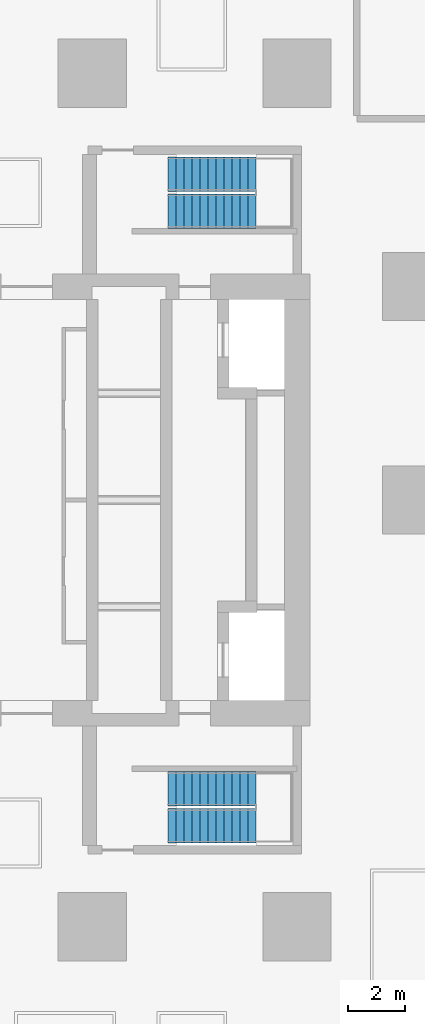
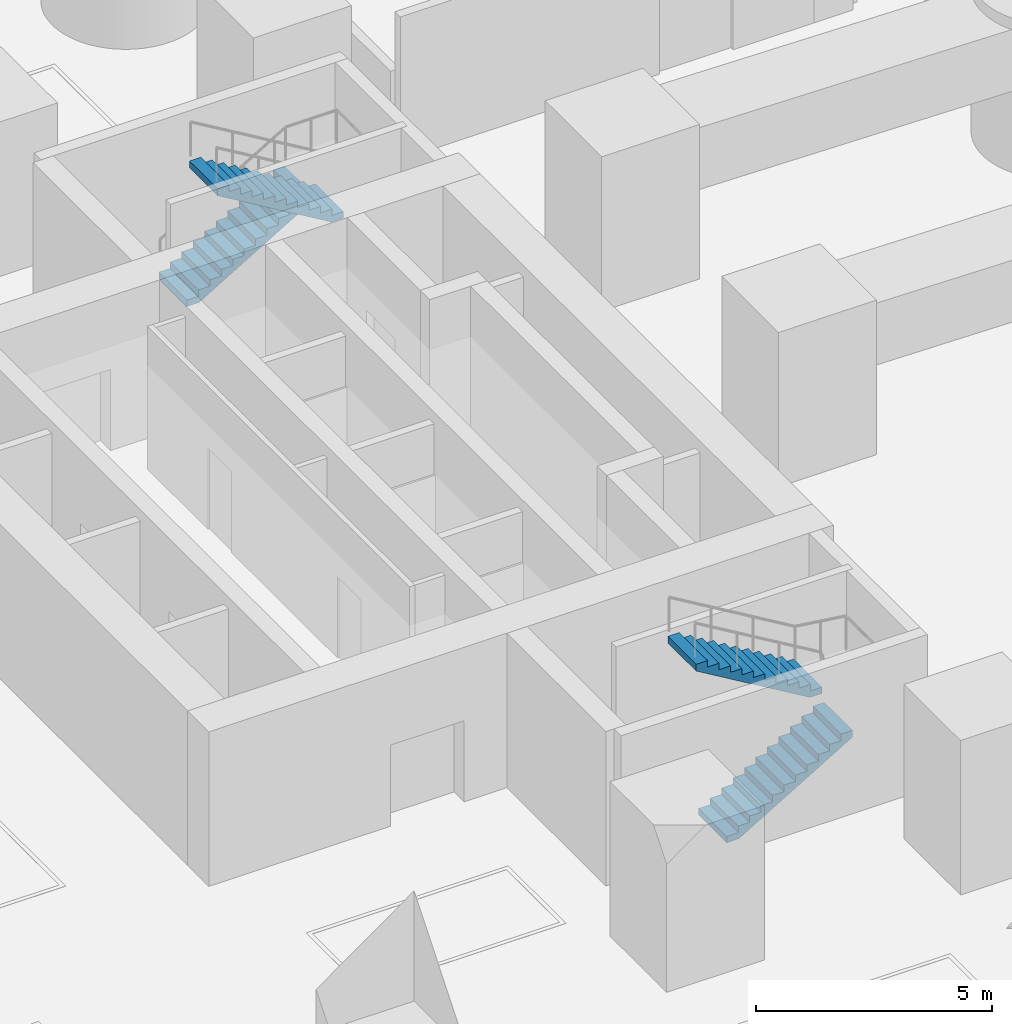
# One storey, part 6 of 8: 4 stair flights, 2 elements without a shape of their own.
"""IFC4 building model written with IfcOpenShell, lengths in metres."""

from ifc_helpers import new_model, si_unit, direction, frame, origin, place, context, subcontext, project, spatial, triangles, material, type_object, element, aggregate, save


model = new_model("IFC4")

# Units and contexts
model_context = context("Model", 3, precision=1e-05, world=origin(), true_north=direction((0.0, 1.0)))
body_context = subcontext(model_context, "Body", "Model", "MODEL_VIEW")
ifc_project = project(units=[si_unit("LENGTHUNIT", "METRE"), si_unit("AREAUNIT", "SQUARE_METRE"), si_unit("VOLUMEUNIT", "CUBIC_METRE"), si_unit("PLANEANGLEUNIT", "RADIAN"), si_unit("MASSUNIT", "GRAM", prefix="KILO")], contexts=[model_context])

# Site, building, storey
site_placement = place(None, origin())
site = spatial("IfcSite", under=ifc_project, at=site_placement, CompositionType="ELEMENT")
building_placement = place(site_placement, origin())
building = spatial("IfcBuilding", under=site, at=building_placement, Name="Sheger Commons Tower", CompositionType="ELEMENT")
storey_placement = place(building_placement, frame((0.0, 0.0, -4.0)))
storey = spatial("IfcBuildingStorey", under=building, at=storey_placement, Name="B1", CompositionType="ELEMENT", Elevation=-4.0)

# Stair, stair flights
ifc_material_1 = material(Name="Concrete C35/45", Category="concrete")
stair_type = type_object("IfcStairType", Name="HALF-TURN STAIR 1200 RISE 4000", PredefinedType="HALF_TURN_STAIR", material=ifc_material_1)
stair_1_placement = place(storey_placement, origin())
stair_1 = element("IfcStair", 1, at=stair_1_placement, inside=storey, type_object=stair_type, Name="Stair S1 B1", PredefinedType="HALF_TURN_STAIR")
ifc_material_2 = material(Name="Concrete C35/45", Category="concrete")
stair_flight_type = type_object("IfcStairFlightType", Name="STAIR FLIGHT 1200 12 RISERS OF 167", PredefinedType="STRAIGHT", material=ifc_material_2)
stair_flight_1_placement = place(storey_placement, frame((24.27001953125, 11.050048828125, 0.0), z_axis=(0.0, 0.0, 1.0), x_axis=(1.0, 0.0, 0.0)))
stair_flight_1 = element("IfcStairFlight", 2, at=stair_flight_1_placement, type_object=stair_flight_type, Name="S1 flight 1", NumberOfRisers=12, NumberOfTreads=11, PredefinedType="STRAIGHT", RiserHeight=0.166666667, TreadLength=0.28, context=body_context, shape_type="Tessellation", body=[
    triangles([(0.0, 0.5999755859375, 0.0), (0.0, 0.5999755859375, 0.166748046875), (0.280029296875, 0.5999755859375, 0.166748046875), (0.280029296875, 0.5999755859375, 0.333251953125), (0.56005859375, 0.5999755859375, 0.333251953125), (0.56005859375, 0.5999755859375, 0.5), (0.840087890625, 0.5999755859375, 0.5), (0.840087890625, 0.5999755859375, 0.666748046875), (1.1201171875, 0.5999755859375, 0.666748046875), (1.1201171875, 0.5999755859375, 0.833251953125), (1.39990234375, 0.5999755859375, 0.833251953125), (1.39990234375, 0.5999755859375, 1.0), (1.679931640625, 0.5999755859375, 1.0), (1.679931640625, 0.5999755859375, 1.166748046875), (1.9599609375, 0.5999755859375, 1.166748046875), (1.9599609375, 0.5999755859375, 1.333251953125), (2.239990234375, 0.5999755859375, 1.333251953125), (2.239990234375, 0.5999755859375, 1.5), (2.52001953125, 0.5999755859375, 1.5), (2.52001953125, 0.5999755859375, 1.666748046875), (2.800048828125, 0.5999755859375, 1.666748046875), (2.800048828125, 0.5999755859375, 1.833251953125), (3.080078125, 0.5999755859375, 1.833251953125), (3.080078125, 0.5999755859375, 1.658935546875), (0.29296875, 0.5999755859375, 0.0), (0.0, -0.5999755859375, 0.0), (0.0, -0.5999755859375, 0.166748046875), (0.280029296875, -0.5999755859375, 0.166748046875), (0.280029296875, -0.5999755859375, 0.333251953125), (0.56005859375, -0.5999755859375, 0.333251953125), (0.56005859375, -0.5999755859375, 0.5), (0.840087890625, -0.5999755859375, 0.5), (0.840087890625, -0.5999755859375, 0.666748046875), (1.1201171875, -0.5999755859375, 0.666748046875), (1.1201171875, -0.5999755859375, 0.833251953125), (1.39990234375, -0.5999755859375, 0.833251953125), (1.39990234375, -0.5999755859375, 1.0), (1.679931640625, -0.5999755859375, 1.0), (1.679931640625, -0.5999755859375, 1.166748046875), (1.9599609375, -0.5999755859375, 1.166748046875), (1.9599609375, -0.5999755859375, 1.333251953125), (2.239990234375, -0.5999755859375, 1.333251953125), (2.239990234375, -0.5999755859375, 1.5), (2.52001953125, -0.5999755859375, 1.5), (2.52001953125, -0.5999755859375, 1.666748046875), (2.800048828125, -0.5999755859375, 1.666748046875), (2.800048828125, -0.5999755859375, 1.833251953125), (3.080078125, -0.5999755859375, 1.833251953125), (3.080078125, -0.5999755859375, 1.658935546875), (0.29296875, -0.5999755859375, 0.0), (0.0, 0.0, 0.0833740234375), (0.1400146484375, 0.0, 0.166748046875), (0.280029296875, 0.0, 0.25), (0.4200439453125, 0.0, 0.333251953125), (0.56005859375, 0.0, 0.4166259765625), (0.7000732421875, 0.0, 0.5), (0.840087890625, 0.0, 0.5833740234375), (0.9801025390625, 0.0, 0.666748046875), (1.1201171875, 0.0, 0.75), (1.260009765625, 0.0, 0.833251953125), (1.39990234375, 0.0, 0.9166259765625), (1.5399169921875, 0.0, 1.0), (1.679931640625, 0.0, 1.0833740234375), (1.8199462890625, 0.0, 1.166748046875), (1.9599609375, 0.0, 1.25), (2.0999755859375, 0.0, 1.333251953125), (2.239990234375, 0.0, 1.4166259765625), (2.3800048828125, 0.0, 1.5), (2.52001953125, 0.0, 1.5833740234375), (2.6600341796875, 0.0, 1.666748046875), (2.800048828125, 0.0, 1.75), (2.9400634765625, 0.0, 1.833251953125), (3.080078125, 0.0, 1.74609375), (1.6865234375, 0.0, 0.8294677734375), (0.146484375, 0.0, 0.0)], [[1, 24, 25], [26, 50, 49], [24, 22, 23], [49, 48, 47], [24, 21, 22], [49, 47, 46], [24, 20, 21], [49, 46, 45], [24, 19, 20], [49, 45, 44], [19, 17, 18], [44, 43, 42], [24, 17, 19], [49, 44, 42], [17, 15, 16], [42, 41, 40], [24, 15, 17], [49, 42, 40], [15, 13, 14], [40, 39, 38], [24, 13, 15], [49, 40, 38], [13, 11, 12], [38, 37, 36], [24, 11, 13], [49, 38, 36], [11, 9, 10], [36, 35, 34], [24, 9, 11], [49, 36, 34], [9, 7, 8], [34, 33, 32], [24, 7, 9], [49, 34, 32], [7, 5, 6], [32, 31, 30], [24, 5, 7], [49, 32, 30], [1, 5, 24], [26, 49, 30], [5, 3, 4], [30, 29, 28], [1, 3, 5], [26, 30, 28], [3, 1, 2], [28, 27, 26], [1, 51, 2], [2, 51, 27], [27, 51, 26], [26, 51, 1], [2, 52, 3], [3, 52, 28], [28, 52, 27], [27, 52, 2], [3, 53, 4], [4, 53, 29], [29, 53, 28], [28, 53, 3], [4, 54, 5], [5, 54, 30], [30, 54, 29], [29, 54, 4], [5, 55, 6], [6, 55, 31], [31, 55, 30], [30, 55, 5], [6, 56, 7], [7, 56, 32], [32, 56, 31], [31, 56, 6], [7, 57, 8], [8, 57, 33], [33, 57, 32], [32, 57, 7], [8, 58, 9], [9, 58, 34], [34, 58, 33], [33, 58, 8], [9, 59, 10], [10, 59, 35], [35, 59, 34], [34, 59, 9], [10, 60, 11], [11, 60, 36], [36, 60, 35], [35, 60, 10], [11, 61, 12], [12, 61, 37], [37, 61, 36], [36, 61, 11], [12, 62, 13], [13, 62, 38], [38, 62, 37], [37, 62, 12], [13, 63, 14], [14, 63, 39], [39, 63, 38], [38, 63, 13], [14, 64, 15], [15, 64, 40], [40, 64, 39], [39, 64, 14], [15, 65, 16], [16, 65, 41], [41, 65, 40], [40, 65, 15], [16, 66, 17], [17, 66, 42], [42, 66, 41], [41, 66, 16], [17, 67, 18], [18, 67, 43], [43, 67, 42], [42, 67, 17], [18, 68, 19], [19, 68, 44], [44, 68, 43], [43, 68, 18], [19, 69, 20], [20, 69, 45], [45, 69, 44], [44, 69, 19], [20, 70, 21], [21, 70, 46], [46, 70, 45], [45, 70, 20], [21, 71, 22], [22, 71, 47], [47, 71, 46], [46, 71, 21], [22, 72, 23], [23, 72, 48], [48, 72, 47], [47, 72, 22], [23, 73, 24], [24, 73, 49], [49, 73, 48], [48, 73, 23], [24, 74, 25], [25, 74, 50], [50, 74, 49], [49, 74, 24], [25, 75, 1], [1, 75, 26], [26, 75, 50], [50, 75, 25]], closed=True),
])
stair_flight_2_placement = place(storey_placement, frame((27.35009765625, 12.35009765625, 2.0), z_axis=(0.0, 0.0, 1.0), x_axis=(-1.0, 0.0, 0.0)))
stair_flight_2 = element("IfcStairFlight", 3, at=stair_flight_2_placement, type_object=stair_flight_type, Name="S1 flight 2", NumberOfRisers=12, NumberOfTreads=11, PredefinedType="STRAIGHT", RiserHeight=0.166666667, TreadLength=0.28, context=body_context, shape_type="Tessellation", body=[
    triangles([(0.0, 0.5999755859375, 0.0), (0.0, 0.5999755859375, 0.166748046875), (0.280029296875, 0.5999755859375, 0.166748046875), (0.280029296875, 0.5999755859375, 0.333251953125), (0.56005859375, 0.5999755859375, 0.333251953125), (0.56005859375, 0.5999755859375, 0.5), (0.840087890625, 0.5999755859375, 0.5), (0.840087890625, 0.5999755859375, 0.666748046875), (1.1201171875, 0.5999755859375, 0.666748046875), (1.1201171875, 0.5999755859375, 0.833251953125), (1.39990234375, 0.5999755859375, 0.833251953125), (1.39990234375, 0.5999755859375, 1.0), (1.679931640625, 0.5999755859375, 1.0), (1.679931640625, 0.5999755859375, 1.166748046875), (1.9599609375, 0.5999755859375, 1.166748046875), (1.9599609375, 0.5999755859375, 1.333251953125), (2.239990234375, 0.5999755859375, 1.333251953125), (2.239990234375, 0.5999755859375, 1.5), (2.52001953125, 0.5999755859375, 1.5), (2.52001953125, 0.5999755859375, 1.666748046875), (2.800048828125, 0.5999755859375, 1.666748046875), (2.800048828125, 0.5999755859375, 1.833251953125), (3.080078125, 0.5999755859375, 1.833251953125), (3.080078125, 0.5999755859375, 1.658935546875), (0.29296875, 0.5999755859375, 0.0), (0.0, -0.5999755859375, 0.0), (0.0, -0.5999755859375, 0.166748046875), (0.280029296875, -0.5999755859375, 0.166748046875), (0.280029296875, -0.5999755859375, 0.333251953125), (0.56005859375, -0.5999755859375, 0.333251953125), (0.56005859375, -0.5999755859375, 0.5), (0.840087890625, -0.5999755859375, 0.5), (0.840087890625, -0.5999755859375, 0.666748046875), (1.1201171875, -0.5999755859375, 0.666748046875), (1.1201171875, -0.5999755859375, 0.833251953125), (1.39990234375, -0.5999755859375, 0.833251953125), (1.39990234375, -0.5999755859375, 1.0), (1.679931640625, -0.5999755859375, 1.0), (1.679931640625, -0.5999755859375, 1.166748046875), (1.9599609375, -0.5999755859375, 1.166748046875), (1.9599609375, -0.5999755859375, 1.333251953125), (2.239990234375, -0.5999755859375, 1.333251953125), (2.239990234375, -0.5999755859375, 1.5), (2.52001953125, -0.5999755859375, 1.5), (2.52001953125, -0.5999755859375, 1.666748046875), (2.800048828125, -0.5999755859375, 1.666748046875), (2.800048828125, -0.5999755859375, 1.833251953125), (3.080078125, -0.5999755859375, 1.833251953125), (3.080078125, -0.5999755859375, 1.658935546875), (0.29296875, -0.5999755859375, 0.0), (0.0, 0.0, 0.0833740234375), (0.1400146484375, 0.0, 0.166748046875), (0.280029296875, 0.0, 0.25), (0.4200439453125, 0.0, 0.333251953125), (0.56005859375, 0.0, 0.4166259765625), (0.7000732421875, 0.0, 0.5), (0.840087890625, 0.0, 0.5833740234375), (0.9801025390625, 0.0, 0.666748046875), (1.1201171875, 0.0, 0.75), (1.260009765625, 0.0, 0.833251953125), (1.39990234375, 0.0, 0.9166259765625), (1.5399169921875, 0.0, 1.0), (1.679931640625, 0.0, 1.0833740234375), (1.8199462890625, 0.0, 1.166748046875), (1.9599609375, 0.0, 1.25), (2.0999755859375, 0.0, 1.333251953125), (2.239990234375, 0.0, 1.4166259765625), (2.3800048828125, 0.0, 1.5), (2.52001953125, 0.0, 1.5833740234375), (2.6600341796875, 0.0, 1.666748046875), (2.800048828125, 0.0, 1.75), (2.9400634765625, 0.0, 1.833251953125), (3.080078125, 0.0, 1.74609375), (1.6865234375, 0.0, 0.8294677734375), (0.146484375, 0.0, 0.0)], [[1, 24, 25], [26, 50, 49], [24, 22, 23], [49, 48, 47], [24, 21, 22], [49, 47, 46], [24, 20, 21], [49, 46, 45], [24, 19, 20], [49, 45, 44], [19, 17, 18], [44, 43, 42], [24, 17, 19], [49, 44, 42], [17, 15, 16], [42, 41, 40], [24, 15, 17], [49, 42, 40], [15, 13, 14], [40, 39, 38], [24, 13, 15], [49, 40, 38], [13, 11, 12], [38, 37, 36], [24, 11, 13], [49, 38, 36], [11, 9, 10], [36, 35, 34], [24, 9, 11], [49, 36, 34], [9, 7, 8], [34, 33, 32], [24, 7, 9], [49, 34, 32], [7, 5, 6], [32, 31, 30], [24, 5, 7], [49, 32, 30], [1, 5, 24], [26, 49, 30], [5, 3, 4], [30, 29, 28], [1, 3, 5], [26, 30, 28], [3, 1, 2], [28, 27, 26], [1, 51, 2], [2, 51, 27], [27, 51, 26], [26, 51, 1], [2, 52, 3], [3, 52, 28], [28, 52, 27], [27, 52, 2], [3, 53, 4], [4, 53, 29], [29, 53, 28], [28, 53, 3], [4, 54, 5], [5, 54, 30], [30, 54, 29], [29, 54, 4], [5, 55, 6], [6, 55, 31], [31, 55, 30], [30, 55, 5], [6, 56, 7], [7, 56, 32], [32, 56, 31], [31, 56, 6], [7, 57, 8], [8, 57, 33], [33, 57, 32], [32, 57, 7], [8, 58, 9], [9, 58, 34], [34, 58, 33], [33, 58, 8], [9, 59, 10], [10, 59, 35], [35, 59, 34], [34, 59, 9], [10, 60, 11], [11, 60, 36], [36, 60, 35], [35, 60, 10], [11, 61, 12], [12, 61, 37], [37, 61, 36], [36, 61, 11], [12, 62, 13], [13, 62, 38], [38, 62, 37], [37, 62, 12], [13, 63, 14], [14, 63, 39], [39, 63, 38], [38, 63, 13], [14, 64, 15], [15, 64, 40], [40, 64, 39], [39, 64, 14], [15, 65, 16], [16, 65, 41], [41, 65, 40], [40, 65, 15], [16, 66, 17], [17, 66, 42], [42, 66, 41], [41, 66, 16], [17, 67, 18], [18, 67, 43], [43, 67, 42], [42, 67, 17], [18, 68, 19], [19, 68, 44], [44, 68, 43], [43, 68, 18], [19, 69, 20], [20, 69, 45], [45, 69, 44], [44, 69, 19], [20, 70, 21], [21, 70, 46], [46, 70, 45], [45, 70, 20], [21, 71, 22], [22, 71, 47], [47, 71, 46], [46, 71, 21], [22, 72, 23], [23, 72, 48], [48, 72, 47], [47, 72, 22], [23, 73, 24], [24, 73, 49], [49, 73, 48], [48, 73, 23], [24, 74, 25], [25, 74, 50], [50, 74, 49], [49, 74, 24], [25, 75, 1], [1, 75, 26], [26, 75, 50], [50, 75, 25]], closed=True),
])
aggregate(stair_1, [stair_flight_1, stair_flight_2])

stair_2_placement = place(storey_placement, origin())
stair_2 = element("IfcStair", 4, at=stair_2_placement, inside=storey, type_object=stair_type, Name="Stair S2 B1", PredefinedType="HALF_TURN_STAIR")
stair_flight_3_placement = place(storey_placement, frame((24.27001953125, 33.949951171875, 0.0), z_axis=(0.0, 0.0, 1.0), x_axis=(1.0, 0.0, 0.0)))
stair_flight_3 = element("IfcStairFlight", 5, at=stair_flight_3_placement, type_object=stair_flight_type, Name="S2 flight 1", NumberOfRisers=12, NumberOfTreads=11, PredefinedType="STRAIGHT", RiserHeight=0.166666667, TreadLength=0.28, context=body_context, shape_type="Tessellation", body=[
    triangles([(0.0, 0.5999755859375, 0.0), (0.0, 0.5999755859375, 0.166748046875), (0.280029296875, 0.5999755859375, 0.166748046875), (0.280029296875, 0.5999755859375, 0.333251953125), (0.56005859375, 0.5999755859375, 0.333251953125), (0.56005859375, 0.5999755859375, 0.5), (0.840087890625, 0.5999755859375, 0.5), (0.840087890625, 0.5999755859375, 0.666748046875), (1.1201171875, 0.5999755859375, 0.666748046875), (1.1201171875, 0.5999755859375, 0.833251953125), (1.39990234375, 0.5999755859375, 0.833251953125), (1.39990234375, 0.5999755859375, 1.0), (1.679931640625, 0.5999755859375, 1.0), (1.679931640625, 0.5999755859375, 1.166748046875), (1.9599609375, 0.5999755859375, 1.166748046875), (1.9599609375, 0.5999755859375, 1.333251953125), (2.239990234375, 0.5999755859375, 1.333251953125), (2.239990234375, 0.5999755859375, 1.5), (2.52001953125, 0.5999755859375, 1.5), (2.52001953125, 0.5999755859375, 1.666748046875), (2.800048828125, 0.5999755859375, 1.666748046875), (2.800048828125, 0.5999755859375, 1.833251953125), (3.080078125, 0.5999755859375, 1.833251953125), (3.080078125, 0.5999755859375, 1.658935546875), (0.29296875, 0.5999755859375, 0.0), (0.0, -0.5999755859375, 0.0), (0.0, -0.5999755859375, 0.166748046875), (0.280029296875, -0.5999755859375, 0.166748046875), (0.280029296875, -0.5999755859375, 0.333251953125), (0.56005859375, -0.5999755859375, 0.333251953125), (0.56005859375, -0.5999755859375, 0.5), (0.840087890625, -0.5999755859375, 0.5), (0.840087890625, -0.5999755859375, 0.666748046875), (1.1201171875, -0.5999755859375, 0.666748046875), (1.1201171875, -0.5999755859375, 0.833251953125), (1.39990234375, -0.5999755859375, 0.833251953125), (1.39990234375, -0.5999755859375, 1.0), (1.679931640625, -0.5999755859375, 1.0), (1.679931640625, -0.5999755859375, 1.166748046875), (1.9599609375, -0.5999755859375, 1.166748046875), (1.9599609375, -0.5999755859375, 1.333251953125), (2.239990234375, -0.5999755859375, 1.333251953125), (2.239990234375, -0.5999755859375, 1.5), (2.52001953125, -0.5999755859375, 1.5), (2.52001953125, -0.5999755859375, 1.666748046875), (2.800048828125, -0.5999755859375, 1.666748046875), (2.800048828125, -0.5999755859375, 1.833251953125), (3.080078125, -0.5999755859375, 1.833251953125), (3.080078125, -0.5999755859375, 1.658935546875), (0.29296875, -0.5999755859375, 0.0), (0.0, 0.0, 0.0833740234375), (0.1400146484375, 0.0, 0.166748046875), (0.280029296875, 0.0, 0.25), (0.4200439453125, 0.0, 0.333251953125), (0.56005859375, 0.0, 0.4166259765625), (0.7000732421875, 0.0, 0.5), (0.840087890625, 0.0, 0.5833740234375), (0.9801025390625, 0.0, 0.666748046875), (1.1201171875, 0.0, 0.75), (1.260009765625, 0.0, 0.833251953125), (1.39990234375, 0.0, 0.9166259765625), (1.5399169921875, 0.0, 1.0), (1.679931640625, 0.0, 1.0833740234375), (1.8199462890625, 0.0, 1.166748046875), (1.9599609375, 0.0, 1.25), (2.0999755859375, 0.0, 1.333251953125), (2.239990234375, 0.0, 1.4166259765625), (2.3800048828125, 0.0, 1.5), (2.52001953125, 0.0, 1.5833740234375), (2.6600341796875, 0.0, 1.666748046875), (2.800048828125, 0.0, 1.75), (2.9400634765625, 0.0, 1.833251953125), (3.080078125, 0.0, 1.74609375), (1.6865234375, 0.0, 0.8294677734375), (0.146484375, 0.0, 0.0)], [[1, 24, 25], [26, 50, 49], [24, 22, 23], [49, 48, 47], [24, 21, 22], [49, 47, 46], [24, 20, 21], [49, 46, 45], [24, 19, 20], [49, 45, 44], [19, 17, 18], [44, 43, 42], [24, 17, 19], [49, 44, 42], [17, 15, 16], [42, 41, 40], [24, 15, 17], [49, 42, 40], [15, 13, 14], [40, 39, 38], [24, 13, 15], [49, 40, 38], [13, 11, 12], [38, 37, 36], [24, 11, 13], [49, 38, 36], [11, 9, 10], [36, 35, 34], [24, 9, 11], [49, 36, 34], [9, 7, 8], [34, 33, 32], [24, 7, 9], [49, 34, 32], [7, 5, 6], [32, 31, 30], [24, 5, 7], [49, 32, 30], [1, 5, 24], [26, 49, 30], [5, 3, 4], [30, 29, 28], [1, 3, 5], [26, 30, 28], [3, 1, 2], [28, 27, 26], [1, 51, 2], [2, 51, 27], [27, 51, 26], [26, 51, 1], [2, 52, 3], [3, 52, 28], [28, 52, 27], [27, 52, 2], [3, 53, 4], [4, 53, 29], [29, 53, 28], [28, 53, 3], [4, 54, 5], [5, 54, 30], [30, 54, 29], [29, 54, 4], [5, 55, 6], [6, 55, 31], [31, 55, 30], [30, 55, 5], [6, 56, 7], [7, 56, 32], [32, 56, 31], [31, 56, 6], [7, 57, 8], [8, 57, 33], [33, 57, 32], [32, 57, 7], [8, 58, 9], [9, 58, 34], [34, 58, 33], [33, 58, 8], [9, 59, 10], [10, 59, 35], [35, 59, 34], [34, 59, 9], [10, 60, 11], [11, 60, 36], [36, 60, 35], [35, 60, 10], [11, 61, 12], [12, 61, 37], [37, 61, 36], [36, 61, 11], [12, 62, 13], [13, 62, 38], [38, 62, 37], [37, 62, 12], [13, 63, 14], [14, 63, 39], [39, 63, 38], [38, 63, 13], [14, 64, 15], [15, 64, 40], [40, 64, 39], [39, 64, 14], [15, 65, 16], [16, 65, 41], [41, 65, 40], [40, 65, 15], [16, 66, 17], [17, 66, 42], [42, 66, 41], [41, 66, 16], [17, 67, 18], [18, 67, 43], [43, 67, 42], [42, 67, 17], [18, 68, 19], [19, 68, 44], [44, 68, 43], [43, 68, 18], [19, 69, 20], [20, 69, 45], [45, 69, 44], [44, 69, 19], [20, 70, 21], [21, 70, 46], [46, 70, 45], [45, 70, 20], [21, 71, 22], [22, 71, 47], [47, 71, 46], [46, 71, 21], [22, 72, 23], [23, 72, 48], [48, 72, 47], [47, 72, 22], [23, 73, 24], [24, 73, 49], [49, 73, 48], [48, 73, 23], [24, 74, 25], [25, 74, 50], [50, 74, 49], [49, 74, 24], [25, 75, 1], [1, 75, 26], [26, 75, 50], [50, 75, 25]], closed=True),
])
stair_flight_4_placement = place(storey_placement, frame((27.35009765625, 32.64990234375, 2.0), z_axis=(0.0, 0.0, 1.0), x_axis=(-1.0, 0.0, 0.0)))
stair_flight_4 = element("IfcStairFlight", 6, at=stair_flight_4_placement, type_object=stair_flight_type, Name="S2 flight 2", NumberOfRisers=12, NumberOfTreads=11, PredefinedType="STRAIGHT", RiserHeight=0.166666667, TreadLength=0.28, context=body_context, shape_type="Tessellation", body=[
    triangles([(0.0, 0.5999755859375, 0.0), (0.0, 0.5999755859375, 0.166748046875), (0.280029296875, 0.5999755859375, 0.166748046875), (0.280029296875, 0.5999755859375, 0.333251953125), (0.56005859375, 0.5999755859375, 0.333251953125), (0.56005859375, 0.5999755859375, 0.5), (0.840087890625, 0.5999755859375, 0.5), (0.840087890625, 0.5999755859375, 0.666748046875), (1.1201171875, 0.5999755859375, 0.666748046875), (1.1201171875, 0.5999755859375, 0.833251953125), (1.39990234375, 0.5999755859375, 0.833251953125), (1.39990234375, 0.5999755859375, 1.0), (1.679931640625, 0.5999755859375, 1.0), (1.679931640625, 0.5999755859375, 1.166748046875), (1.9599609375, 0.5999755859375, 1.166748046875), (1.9599609375, 0.5999755859375, 1.333251953125), (2.239990234375, 0.5999755859375, 1.333251953125), (2.239990234375, 0.5999755859375, 1.5), (2.52001953125, 0.5999755859375, 1.5), (2.52001953125, 0.5999755859375, 1.666748046875), (2.800048828125, 0.5999755859375, 1.666748046875), (2.800048828125, 0.5999755859375, 1.833251953125), (3.080078125, 0.5999755859375, 1.833251953125), (3.080078125, 0.5999755859375, 1.658935546875), (0.29296875, 0.5999755859375, 0.0), (0.0, -0.5999755859375, 0.0), (0.0, -0.5999755859375, 0.166748046875), (0.280029296875, -0.5999755859375, 0.166748046875), (0.280029296875, -0.5999755859375, 0.333251953125), (0.56005859375, -0.5999755859375, 0.333251953125), (0.56005859375, -0.5999755859375, 0.5), (0.840087890625, -0.5999755859375, 0.5), (0.840087890625, -0.5999755859375, 0.666748046875), (1.1201171875, -0.5999755859375, 0.666748046875), (1.1201171875, -0.5999755859375, 0.833251953125), (1.39990234375, -0.5999755859375, 0.833251953125), (1.39990234375, -0.5999755859375, 1.0), (1.679931640625, -0.5999755859375, 1.0), (1.679931640625, -0.5999755859375, 1.166748046875), (1.9599609375, -0.5999755859375, 1.166748046875), (1.9599609375, -0.5999755859375, 1.333251953125), (2.239990234375, -0.5999755859375, 1.333251953125), (2.239990234375, -0.5999755859375, 1.5), (2.52001953125, -0.5999755859375, 1.5), (2.52001953125, -0.5999755859375, 1.666748046875), (2.800048828125, -0.5999755859375, 1.666748046875), (2.800048828125, -0.5999755859375, 1.833251953125), (3.080078125, -0.5999755859375, 1.833251953125), (3.080078125, -0.5999755859375, 1.658935546875), (0.29296875, -0.5999755859375, 0.0), (0.0, 0.0, 0.0833740234375), (0.1400146484375, 0.0, 0.166748046875), (0.280029296875, 0.0, 0.25), (0.4200439453125, 0.0, 0.333251953125), (0.56005859375, 0.0, 0.4166259765625), (0.7000732421875, 0.0, 0.5), (0.840087890625, 0.0, 0.5833740234375), (0.9801025390625, 0.0, 0.666748046875), (1.1201171875, 0.0, 0.75), (1.260009765625, 0.0, 0.833251953125), (1.39990234375, 0.0, 0.9166259765625), (1.5399169921875, 0.0, 1.0), (1.679931640625, 0.0, 1.0833740234375), (1.8199462890625, 0.0, 1.166748046875), (1.9599609375, 0.0, 1.25), (2.0999755859375, 0.0, 1.333251953125), (2.239990234375, 0.0, 1.4166259765625), (2.3800048828125, 0.0, 1.5), (2.52001953125, 0.0, 1.5833740234375), (2.6600341796875, 0.0, 1.666748046875), (2.800048828125, 0.0, 1.75), (2.9400634765625, 0.0, 1.833251953125), (3.080078125, 0.0, 1.74609375), (1.6865234375, 0.0, 0.8294677734375), (0.146484375, 0.0, 0.0)], [[1, 24, 25], [26, 50, 49], [24, 22, 23], [49, 48, 47], [24, 21, 22], [49, 47, 46], [24, 20, 21], [49, 46, 45], [24, 19, 20], [49, 45, 44], [19, 17, 18], [44, 43, 42], [24, 17, 19], [49, 44, 42], [17, 15, 16], [42, 41, 40], [24, 15, 17], [49, 42, 40], [15, 13, 14], [40, 39, 38], [24, 13, 15], [49, 40, 38], [13, 11, 12], [38, 37, 36], [24, 11, 13], [49, 38, 36], [11, 9, 10], [36, 35, 34], [24, 9, 11], [49, 36, 34], [9, 7, 8], [34, 33, 32], [24, 7, 9], [49, 34, 32], [7, 5, 6], [32, 31, 30], [24, 5, 7], [49, 32, 30], [1, 5, 24], [26, 49, 30], [5, 3, 4], [30, 29, 28], [1, 3, 5], [26, 30, 28], [3, 1, 2], [28, 27, 26], [1, 51, 2], [2, 51, 27], [27, 51, 26], [26, 51, 1], [2, 52, 3], [3, 52, 28], [28, 52, 27], [27, 52, 2], [3, 53, 4], [4, 53, 29], [29, 53, 28], [28, 53, 3], [4, 54, 5], [5, 54, 30], [30, 54, 29], [29, 54, 4], [5, 55, 6], [6, 55, 31], [31, 55, 30], [30, 55, 5], [6, 56, 7], [7, 56, 32], [32, 56, 31], [31, 56, 6], [7, 57, 8], [8, 57, 33], [33, 57, 32], [32, 57, 7], [8, 58, 9], [9, 58, 34], [34, 58, 33], [33, 58, 8], [9, 59, 10], [10, 59, 35], [35, 59, 34], [34, 59, 9], [10, 60, 11], [11, 60, 36], [36, 60, 35], [35, 60, 10], [11, 61, 12], [12, 61, 37], [37, 61, 36], [36, 61, 11], [12, 62, 13], [13, 62, 38], [38, 62, 37], [37, 62, 12], [13, 63, 14], [14, 63, 39], [39, 63, 38], [38, 63, 13], [14, 64, 15], [15, 64, 40], [40, 64, 39], [39, 64, 14], [15, 65, 16], [16, 65, 41], [41, 65, 40], [40, 65, 15], [16, 66, 17], [17, 66, 42], [42, 66, 41], [41, 66, 16], [17, 67, 18], [18, 67, 43], [43, 67, 42], [42, 67, 17], [18, 68, 19], [19, 68, 44], [44, 68, 43], [43, 68, 18], [19, 69, 20], [20, 69, 45], [45, 69, 44], [44, 69, 19], [20, 70, 21], [21, 70, 46], [46, 70, 45], [45, 70, 20], [21, 71, 22], [22, 71, 47], [47, 71, 46], [46, 71, 21], [22, 72, 23], [23, 72, 48], [48, 72, 47], [47, 72, 22], [23, 73, 24], [24, 73, 49], [49, 73, 48], [48, 73, 23], [24, 74, 25], [25, 74, 50], [50, 74, 49], [49, 74, 24], [25, 75, 1], [1, 75, 26], [26, 75, 50], [50, 75, 25]], closed=True),
])
aggregate(stair_2, [stair_flight_3, stair_flight_4])

save(model, "model.ifc")
